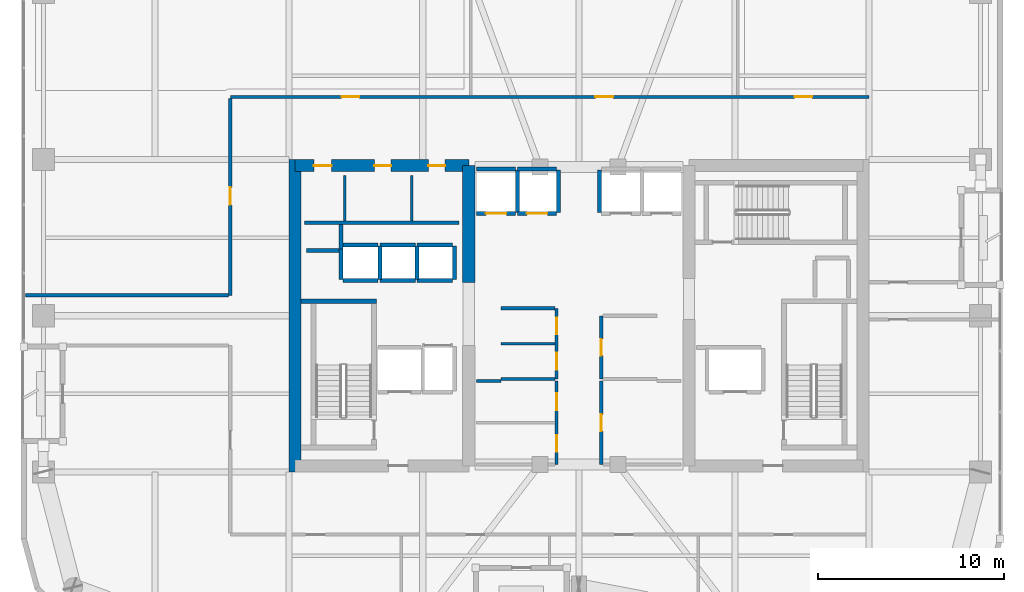
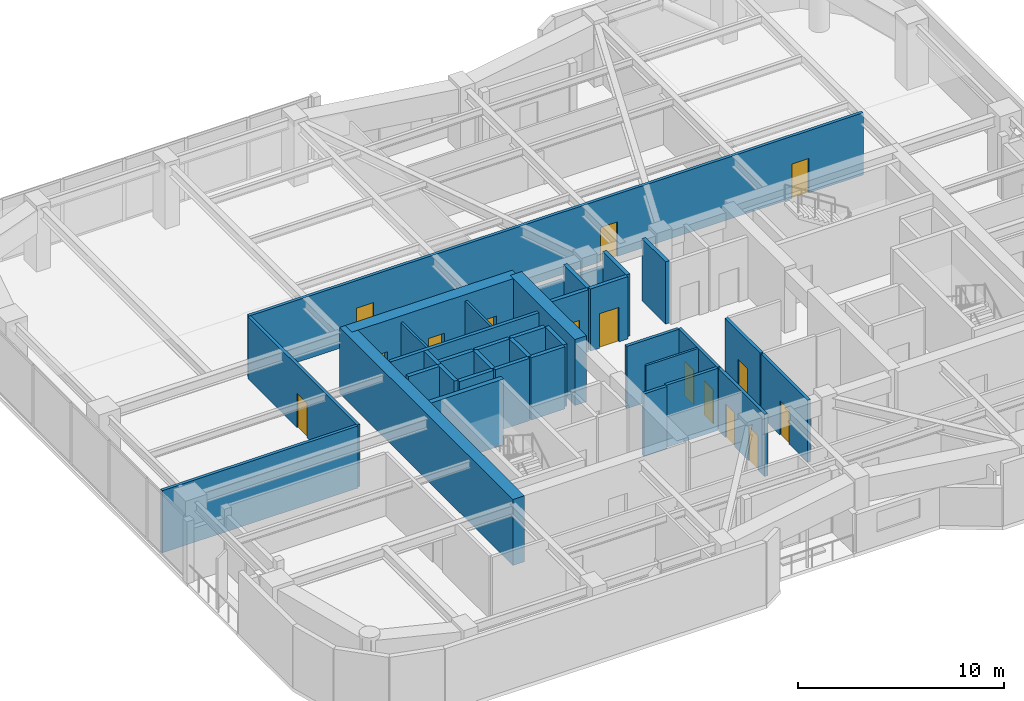
# One storey, part 25 of 30: 37 walls, 15 doors, 15 openings.
"""IFC4 building model written with IfcOpenShell, lengths in metres."""

from ifc_helpers import new_model, si_unit, direction, frame, frame_2d, origin, place, context, subcontext, project, spatial, rectangle, extrude, material, layer, layer_set, type_object, element, fill, save


model = new_model("IFC4")

# Units and contexts
model_context = context("Model", 3, precision=1e-05, world=origin(), true_north=direction((0.0, 1.0)))
body_context = subcontext(model_context, "Body", "Model", "MODEL_VIEW")
ifc_project = project(units=[si_unit("LENGTHUNIT", "METRE"), si_unit("AREAUNIT", "SQUARE_METRE"), si_unit("VOLUMEUNIT", "CUBIC_METRE"), si_unit("PLANEANGLEUNIT", "RADIAN"), si_unit("MASSUNIT", "GRAM", prefix="KILO")], contexts=[model_context])

# Site, building, storey
site_placement = place(None, origin())
site = spatial("IfcSite", under=ifc_project, at=site_placement, CompositionType="ELEMENT")
building_placement = place(site_placement, origin())
building = spatial("IfcBuilding", under=site, at=building_placement, Name="Kiyonajd Concourse Tower", CompositionType="ELEMENT")
storey_placement = place(building_placement, frame((0.0, 0.0, 190.199951171875)))
storey = spatial("IfcBuildingStorey", under=building, at=storey_placement, Name="L48", CompositionType="ELEMENT", Elevation=190.199951171875)

# Walls
ifc_material_1 = material(Name="Concrete C60/75", Category="concrete")
ifc_layer_1 = layer(ifc_material_1, 0.64990234375)
ifc_layer_set_1 = layer_set([ifc_layer_1], Name="Concrete C60/75")
wall_type_1 = type_object("IfcWallType", Name="WL-CORE-650", PredefinedType="SHEAR", material=ifc_layer_set_1)
wall_1_placement = place(storey_placement, frame((32.72509765625, 27.60009765625, 0.0), z_axis=(0.0, 0.0, 1.0), x_axis=(0.0, 1.0, 0.0)))
element("IfcWall", 1, at=wall_1_placement, inside=storey, type_object=wall_type_1, Name="L48 West Core Outer Shear Wall", PredefinedType="SHEAR", context=body_context, shape_type="SweptSolid", body=[
    extrude(rectangle(XDim=16.7998046875, YDim=0.64990234375, at=frame_2d((8.39990234375, 0.0))), origin(), (0.0, 0.0, 1.0), 3.900146484375),
])
wall_2_placement = place(storey_placement, frame((42.074951171875, 37.800048828125, 0.0), z_axis=(0.0, 0.0, 1.0), x_axis=(0.0, 1.0, 0.0)))
element("IfcWall", 2, at=wall_2_placement, inside=storey, type_object=wall_type_1, Name="L48 West Core Inner North Shear Wall", PredefinedType="SHEAR", context=body_context, shape_type="SweptSolid", body=[
    extrude(rectangle(XDim=6.27490234375, YDim=0.64990234375, at=frame_2d((3.137451171875, 0.0))), origin(), (0.0, 0.0, 1.0), 3.900146484375),
])

# Wall, openings, doors
wall_3_placement = place(storey_placement, frame((32.72509765625, 44.074951171875, 0.0), z_axis=(0.0, 0.0, 1.0), x_axis=(1.0, 0.0, 0.0)))
wall_3 = element("IfcWall", 3, at=wall_3_placement, inside=storey, type_object=wall_type_1, Name="L48 West Core North Shear Wall", PredefinedType="SHEAR", context=body_context, shape_type="SweptSolid", body=[
    extrude(rectangle(XDim=9.349853515625, YDim=0.64990234375, at=frame_2d((4.6748046875, 0.0))), origin(), (0.0, 0.0, 1.0), 3.900146484375),
])
opening_1_placement = place(wall_3_placement, frame((1.02490234375, 0.0, 0.0)))
opening_1 = element("IfcOpeningElement", 4, at=opening_1_placement, cuts=wall_3, Name="Opening DI1", PredefinedType="OPENING", context=body_context, shape_type="SweptSolid", body=[
    extrude(rectangle(XDim=0.949951171875, YDim=2.0400390625, at=frame_2d((0.47509765625, 1.02001953125))), frame((0.0, 0.3349609375, 0.0), z_axis=(0.0, -1.0, 0.0), x_axis=(1.0, 0.0, 0.0)), (0.0, 0.0, 1.0), 0.669921875),
])
opening_2_placement = place(wall_3_placement, frame((4.27490234375, 0.0, 0.0)))
opening_2 = element("IfcOpeningElement", 5, at=opening_2_placement, cuts=wall_3, Name="Opening DI2", PredefinedType="OPENING", context=body_context, shape_type="SweptSolid", body=[
    extrude(rectangle(XDim=0.89990234375, YDim=2.02001953125, at=frame_2d((0.449951171875, 1.010009765625))), frame((0.0, 0.3349609375, 0.0), z_axis=(0.0, -1.0, 0.0), x_axis=(1.0, 0.0, 0.0)), (0.0, 0.0, 1.0), 0.669921875),
])
opening_3_placement = place(wall_3_placement, frame((7.175048828125, 0.0, 0.0)))
opening_3 = element("IfcOpeningElement", 6, at=opening_3_placement, cuts=wall_3, Name="Opening DI2", PredefinedType="OPENING", context=body_context, shape_type="SweptSolid", body=[
    extrude(rectangle(XDim=0.89990234375, YDim=2.02001953125, at=frame_2d((0.449951171875, 1.010009765625))), frame((0.0, 0.3349609375, 0.0), z_axis=(0.0, -1.0, 0.0), x_axis=(1.0, 0.0, 0.0)), (0.0, 0.0, 1.0), 0.669921875),
])
ifc_material_2 = material(Name="Natural Oak Acoustic Timber Veneer", Category="wood")
door_type_1 = type_object("IfcDoorType", Name="DR-INT-900", OperationType="NOTDEFINED", PredefinedType="DOOR", material=ifc_material_2)
door_1_placement = place(opening_2_placement, origin())
door_1 = element("IfcDoor", 7, at=door_1_placement, inside=storey, type_object=door_type_1, Name="L48 Male Restroom Door", OperationType="SINGLE_SWING_RIGHT", OverallHeight=2.02001953125, OverallWidth=0.89990234375, PredefinedType="DOOR", context=body_context, shape_type="SweptSolid", body=[
    extrude(rectangle(XDim=0.89990234375, YDim=2.02001953125, at=frame_2d((0.449951171875, 1.010009765625))), frame((0.0, 0.02490234375, 0.0), z_axis=(0.0, -1.0, 0.0), x_axis=(1.0, 0.0, 0.0)), (0.0, 0.0, 1.0), 0.050048828125),
])
fill(opening_2, door_1)
door_2_placement = place(opening_3_placement, origin())
door_2 = element("IfcDoor", 8, at=door_2_placement, inside=storey, type_object=door_type_1, Name="L48 Female Restroom Door", OperationType="SINGLE_SWING_LEFT", OverallHeight=2.02001953125, OverallWidth=0.89990234375, PredefinedType="DOOR", context=body_context, shape_type="SweptSolid", body=[
    extrude(rectangle(XDim=0.89990234375, YDim=2.02001953125, at=frame_2d((0.449951171875, 1.010009765625))), frame((0.0, 0.02490234375, 0.0), z_axis=(0.0, -1.0, 0.0), x_axis=(1.0, 0.0, 0.0)), (0.0, 0.0, 1.0), 0.050048828125),
])
fill(opening_3, door_2)
door_type_2 = type_object("IfcDoorType", Name="DR-INT-950", OperationType="NOTDEFINED", PredefinedType="DOOR", material=ifc_material_2)
door_3_placement = place(opening_1_placement, origin())
door_3 = element("IfcDoor", 9, at=door_3_placement, inside=storey, type_object=door_type_2, Name="L48 Single User Accessible WC Door", OperationType="SINGLE_SWING_LEFT", OverallHeight=2.0400390625, OverallWidth=0.949951171875, PredefinedType="DOOR", context=body_context, shape_type="SweptSolid", body=[
    extrude(rectangle(XDim=0.949951171875, YDim=2.0400390625, at=frame_2d((0.47509765625, 1.02001953125))), frame((0.0, 0.02490234375, 0.0), z_axis=(0.0, -1.0, 0.0), x_axis=(1.0, 0.0, 0.0)), (0.0, 0.0, 1.0), 0.050048828125),
])
fill(opening_1, door_3)

# Walls
ifc_material_3 = material(Name="Gypsum Board on Cold-Formed Steel Stud", Category="steel")
ifc_layer_2 = layer(ifc_material_3, 0.125)
ifc_layer_set_2 = layer_set([ifc_layer_2], Name="Gypsum Board on Cold-Formed Steel Stud")
wall_type_2 = type_object("IfcWallType", Name="WL-PART-125", PredefinedType="PARTITIONING", material=ifc_layer_set_2)
for number, where, z_axis, x_axis, name in (
    (10, (35.39990234375, 41.094970703125, 0.0), (0.0, 0.0, 1.0), (0.0, 1.0, 0.0), "L48 Interior Partition Wall"),
    (11, (39.0, 41.094970703125, 0.0), (0.0, 0.0, 1.0), (0.0, 1.0, 0.0), "L48 Interior Partition Wall"),
):
    element("IfcWall", number, at=place(storey_placement, frame(where, z_axis=z_axis, x_axis=x_axis)), inside=storey, type_object=wall_type_2, Name=name, PredefinedType="PARTITIONING", context=body_context, shape_type="SweptSolid", body=[
        extrude(rectangle(XDim=2.455078125, YDim=0.125, at=frame_2d((1.2275390625, 0.0))), origin(), (0.0, 0.0, 1.0), 3.679931640625),
    ])
wall_4_placement = place(storey_placement, frame((43.800048828125, 34.5, 0.0), z_axis=(0.0, 0.0, 1.0), x_axis=(1.0, 0.0, 0.0)))
element("IfcWall", 12, at=wall_4_placement, inside=storey, type_object=wall_type_2, Name="L48 Interior Partition Wall", PredefinedType="PARTITIONING", context=body_context, shape_type="SweptSolid", body=[
    extrude(rectangle(XDim=2.912841796875, YDim=0.125, at=frame_2d((1.45654296875, 0.0))), origin(), (0.0, 0.0, 1.0), 3.679931640625),
])
ifc_layer_3 = layer(ifc_material_3, 0.18994140625)
ifc_layer_set_3 = layer_set([ifc_layer_3], Name="Gypsum Board on Cold-Formed Steel Stud")
wall_type_3 = type_object("IfcWallType", Name="WL-PLMB-190", PredefinedType="PLUMBINGWALL", material=ifc_layer_set_3)
wall_5_placement = place(storey_placement, frame((33.25, 41.0, 0.0), z_axis=(0.0, 0.0, 1.0), x_axis=(1.0, 0.0, 0.0)))
element("IfcWall", 13, at=wall_5_placement, inside=storey, type_object=wall_type_3, Name="L48 Interior Partition Wall", PredefinedType="PLUMBINGWALL", context=body_context, shape_type="SweptSolid", body=[
    extrude(rectangle(XDim=8.300048828125, YDim=0.18994140625, at=frame_2d((4.14990234375, 0.0))), origin(), (0.0, 0.0, 1.0), 3.679931640625),
])
ifc_layer_4 = layer(ifc_material_3, 0.2099609375)
ifc_layer_set_4 = layer_set([ifc_layer_4], Name="Gypsum Board on Cold-Formed Steel Stud")
wall_type_4 = type_object("IfcWallType", Name="WL-SHAFT-210", PredefinedType="PARTITIONING", material=ifc_layer_set_4)
wall_6_placement = place(storey_placement, frame((33.360107421875, 39.5, 0.0), z_axis=(0.0, 0.0, 1.0), x_axis=(1.0, 0.0, 0.0)))
element("IfcWall", 14, at=wall_6_placement, inside=storey, type_object=wall_type_4, Name="L48 Shaft Enclosure Wall", PredefinedType="PARTITIONING", context=body_context, shape_type="SweptSolid", body=[
    extrude(rectangle(XDim=1.85986328125, YDim=0.2099609375, at=frame_2d((0.929931640625, 0.0))), origin(), (0.0, 0.0, 1.0), 3.679931640625),
])
wall_7_placement = place(storey_placement, frame((35.199951171875, 39.580078125, 0.0), z_axis=(0.0, 0.0, 1.0), x_axis=(0.0, 1.0, 0.0)))
element("IfcWall", 15, at=wall_7_placement, inside=storey, type_object=wall_type_4, Name="L48 Shaft Enclosure Wall", PredefinedType="PARTITIONING", context=body_context, shape_type="SweptSolid", body=[
    extrude(rectangle(XDim=1.31982421875, YDim=0.2099609375, at=frame_2d((0.659912109375, 0.0))), origin(), (0.0, 0.0, 1.0), 3.679931640625),
])

# Wall, opening, door
wall_8_placement = place(storey_placement, frame((42.5, 41.5, 0.0), z_axis=(0.0, 0.0, 1.0), x_axis=(1.0, 0.0, 0.0)))
wall_8 = element("IfcWall", 16, at=wall_8_placement, inside=storey, type_object=wall_type_4, Name="L48 Shaft Enclosure Wall", PredefinedType="PARTITIONING", context=body_context, shape_type="SweptSolid", body=[
    extrude(rectangle(XDim=2.10009765625, YDim=0.2099609375, at=frame_2d((1.050048828125, 0.0))), origin(), (0.0, 0.0, 1.0), 3.679931640625),
])
opening_4_placement = place(wall_8_placement, frame((0.5, 0.0, 0.0)))
opening_4 = element("IfcOpeningElement", 17, at=opening_4_placement, cuts=wall_8, Name="Opening LD1", PredefinedType="OPENING", context=body_context, shape_type="SweptSolid", body=[
    extrude(rectangle(XDim=1.10009765625, YDim=2.0400390625, at=frame_2d((0.550048828125, 1.02001953125))), frame((0.0, 0.114990234375, 0.0), z_axis=(0.0, -1.0, 0.0), x_axis=(1.0, 0.0, 0.0)), (0.0, 0.0, 1.0), 0.22998046875),
])
ifc_material_4 = material(Name="Brushed Stainless Steel Cab Assembly", Category="steel")
door_type_3 = type_object("IfcDoorType", Name="DR-LD-1100", OperationType="DOUBLE_DOOR_SLIDING", PredefinedType="DOOR", material=ifc_material_4)
door_4_placement = place(opening_4_placement, origin())
door_4 = element("IfcDoor", 18, at=door_4_placement, inside=storey, type_object=door_type_3, Name="L48 Lift PL-M1 Sliding Landing Door", OperationType="DOUBLE_DOOR_SLIDING", OverallHeight=2.0400390625, OverallWidth=1.10009765625, PredefinedType="DOOR", context=body_context, shape_type="SweptSolid", body=[
    extrude(rectangle(XDim=1.10009765625, YDim=2.0400390625, at=frame_2d((0.550048828125, 1.02001953125))), frame((0.0, 0.02490234375, 0.0), z_axis=(0.0, -1.0, 0.0), x_axis=(1.0, 0.0, 0.0)), (0.0, 0.0, 1.0), 0.050048828125),
])
fill(opening_4, door_4)

# Walls
wall_9_placement = place(storey_placement, frame((42.5, 43.89990234375, 0.0), z_axis=(0.0, 0.0, 1.0), x_axis=(1.0, 0.0, 0.0)))
element("IfcWall", 19, at=wall_9_placement, inside=storey, type_object=wall_type_4, Name="L48 Shaft Enclosure Wall", PredefinedType="PARTITIONING", context=body_context, shape_type="SweptSolid", body=[
    extrude(rectangle(XDim=2.10009765625, YDim=0.2099609375, at=frame_2d((1.050048828125, 0.0))), origin(), (0.0, 0.0, 1.0), 2.76513671875),
])
wall_10_placement = place(storey_placement, frame((44.699951171875, 41.56005859375, 0.0), z_axis=(0.0, 0.0, 1.0), x_axis=(0.0, 1.0, 0.0)))
element("IfcWall", 20, at=wall_10_placement, inside=storey, type_object=wall_type_4, Name="L48 Shaft Enclosure Wall", PredefinedType="PARTITIONING", context=body_context, shape_type="SweptSolid", body=[
    extrude(rectangle(XDim=2.280029296875, YDim=0.2099609375, at=frame_2d((1.14013671875, 0.0))), origin(), (0.0, 0.0, 1.0), 3.679931640625),
])

# Wall, opening, door
wall_11_placement = place(storey_placement, frame((44.699951171875, 41.5, 0.0), z_axis=(0.0, 0.0, 1.0), x_axis=(1.0, 0.0, 0.0)))
wall_11 = element("IfcWall", 21, at=wall_11_placement, inside=storey, type_object=wall_type_4, Name="L48 Shaft Enclosure Wall", PredefinedType="PARTITIONING", context=body_context, shape_type="SweptSolid", body=[
    extrude(rectangle(XDim=2.10009765625, YDim=0.2099609375, at=frame_2d((1.050048828125, 0.0))), origin(), (0.0, 0.0, 1.0), 3.679931640625),
])
opening_5_placement = place(wall_11_placement, frame((0.5, 0.0, 0.0)))
opening_5 = element("IfcOpeningElement", 22, at=opening_5_placement, cuts=wall_11, Name="Opening LD1", PredefinedType="OPENING", context=body_context, shape_type="SweptSolid", body=[
    extrude(rectangle(XDim=1.10009765625, YDim=2.0400390625, at=frame_2d((0.550048828125, 1.02001953125))), frame((0.0, 0.114990234375, 0.0), z_axis=(0.0, -1.0, 0.0), x_axis=(1.0, 0.0, 0.0)), (0.0, 0.0, 1.0), 0.22998046875),
])
door_5_placement = place(opening_5_placement, origin())
door_5 = element("IfcDoor", 23, at=door_5_placement, inside=storey, type_object=door_type_3, Name="L48 Lift PL-M2 Sliding Landing Door", OperationType="DOUBLE_DOOR_SLIDING", OverallHeight=2.0400390625, OverallWidth=1.10009765625, PredefinedType="DOOR", context=body_context, shape_type="SweptSolid", body=[
    extrude(rectangle(XDim=1.10009765625, YDim=2.0400390625, at=frame_2d((0.550048828125, 1.02001953125))), frame((0.0, 0.02490234375, 0.0), z_axis=(0.0, -1.0, 0.0), x_axis=(1.0, 0.0, 0.0)), (0.0, 0.0, 1.0), 0.050048828125),
])
fill(opening_5, door_5)

# Walls
wall_12_placement = place(storey_placement, frame((44.699951171875, 43.89990234375, 0.0), z_axis=(0.0, 0.0, 1.0), x_axis=(1.0, 0.0, 0.0)))
element("IfcWall", 24, at=wall_12_placement, inside=storey, type_object=wall_type_4, Name="L48 Shaft Enclosure Wall", PredefinedType="PARTITIONING", context=body_context, shape_type="SweptSolid", body=[
    extrude(rectangle(XDim=2.10009765625, YDim=0.2099609375, at=frame_2d((1.050048828125, 0.0))), origin(), (0.0, 0.0, 1.0), 2.76513671875),
])
for number, where, z_axis, x_axis, name in (
    (25, (46.89990234375, 41.56005859375, 0.0), (0.0, 0.0, 1.0), (0.0, 1.0, 0.0), "L48 Shaft Enclosure Wall"),
    (26, (49.10009765625, 41.56005859375, 0.0), (0.0, 0.0, 1.0), (0.0, 1.0, 0.0), "L48 Shaft Enclosure Wall"),
):
    element("IfcWall", number, at=place(storey_placement, frame(where, z_axis=z_axis, x_axis=x_axis)), inside=storey, type_object=wall_type_4, Name=name, PredefinedType="PARTITIONING", context=body_context, shape_type="SweptSolid", body=[
        extrude(rectangle(XDim=2.280029296875, YDim=0.2099609375, at=frame_2d((1.14013671875, 0.0))), origin(), (0.0, 0.0, 1.0), 3.679931640625),
    ])
for number, where, z_axis, x_axis, name in (
    (27, (35.300048828125, 37.89990234375, 0.0), (0.0, 0.0, 1.0), (1.0, 0.0, 0.0), "L48 Shaft Enclosure Wall"),
    (28, (35.300048828125, 39.800048828125, 0.0), (0.0, 0.0, 1.0), (1.0, 0.0, 0.0), "L48 Shaft Enclosure Wall"),
):
    element("IfcWall", number, at=place(storey_placement, frame(where, z_axis=z_axis, x_axis=x_axis)), inside=storey, type_object=wall_type_4, Name=name, PredefinedType="PARTITIONING", context=body_context, shape_type="SweptSolid", body=[
        extrude(rectangle(XDim=1.89990234375, YDim=0.2099609375, at=frame_2d((0.949951171875, 0.0))), origin(), (0.0, 0.0, 1.0), 3.679931640625),
    ])
wall_13_placement = place(storey_placement, frame((35.199951171875, 37.9599609375, 0.0), z_axis=(0.0, 0.0, 1.0), x_axis=(0.0, 1.0, 0.0)))
element("IfcWall", 29, at=wall_13_placement, inside=storey, type_object=wall_type_4, Name="L48 Shaft Enclosure Wall", PredefinedType="PARTITIONING", context=body_context, shape_type="SweptSolid", body=[
    extrude(rectangle(XDim=1.6201171875, YDim=0.2099609375, at=frame_2d((0.81005859375, 0.0))), origin(), (0.0, 0.0, 1.0), 3.679931640625),
])
wall_14_placement = place(storey_placement, frame((37.300048828125, 37.9599609375, 0.0), z_axis=(0.0, 0.0, 1.0), x_axis=(0.0, 1.0, 0.0)))
element("IfcWall", 30, at=wall_14_placement, inside=storey, type_object=wall_type_4, Name="L48 Shaft Enclosure Wall", PredefinedType="PARTITIONING", context=body_context, shape_type="SweptSolid", body=[
    extrude(rectangle(XDim=1.780029296875, YDim=0.2099609375, at=frame_2d((0.89013671875, 0.0))), origin(), (0.0, 0.0, 1.0), 3.679931640625),
])
for number, where, z_axis, x_axis, name in (
    (31, (37.300048828125, 37.89990234375, 0.0), (0.0, 0.0, 1.0), (1.0, 0.0, 0.0), "L48 Shaft Enclosure Wall"),
    (32, (37.300048828125, 39.800048828125, 0.0), (0.0, 0.0, 1.0), (1.0, 0.0, 0.0), "L48 Shaft Enclosure Wall"),
):
    element("IfcWall", number, at=place(storey_placement, frame(where, z_axis=z_axis, x_axis=x_axis)), inside=storey, type_object=wall_type_4, Name=name, PredefinedType="PARTITIONING", context=body_context, shape_type="SweptSolid", body=[
        extrude(rectangle(XDim=1.89990234375, YDim=0.2099609375, at=frame_2d((0.949951171875, 0.0))), origin(), (0.0, 0.0, 1.0), 3.679931640625),
    ])
wall_15_placement = place(storey_placement, frame((39.300048828125, 37.9599609375, 0.0), z_axis=(0.0, 0.0, 1.0), x_axis=(0.0, 1.0, 0.0)))
element("IfcWall", 33, at=wall_15_placement, inside=storey, type_object=wall_type_4, Name="L48 Shaft Enclosure Wall", PredefinedType="PARTITIONING", context=body_context, shape_type="SweptSolid", body=[
    extrude(rectangle(XDim=1.780029296875, YDim=0.2099609375, at=frame_2d((0.89013671875, 0.0))), origin(), (0.0, 0.0, 1.0), 3.679931640625),
])
for number, where, z_axis, x_axis, name in (
    (34, (39.300048828125, 37.89990234375, 0.0), (0.0, 0.0, 1.0), (1.0, 0.0, 0.0), "L48 Shaft Enclosure Wall"),
    (35, (39.300048828125, 39.800048828125, 0.0), (0.0, 0.0, 1.0), (1.0, 0.0, 0.0), "L48 Shaft Enclosure Wall"),
):
    element("IfcWall", number, at=place(storey_placement, frame(where, z_axis=z_axis, x_axis=x_axis)), inside=storey, type_object=wall_type_4, Name=name, PredefinedType="PARTITIONING", context=body_context, shape_type="SweptSolid", body=[
        extrude(rectangle(XDim=1.89990234375, YDim=0.2099609375, at=frame_2d((0.949951171875, 0.0))), origin(), (0.0, 0.0, 1.0), 3.679931640625),
    ])
wall_16_placement = place(storey_placement, frame((41.300048828125, 37.9599609375, 0.0), z_axis=(0.0, 0.0, 1.0), x_axis=(0.0, 1.0, 0.0)))
element("IfcWall", 36, at=wall_16_placement, inside=storey, type_object=wall_type_4, Name="L48 Shaft Enclosure Wall", PredefinedType="PARTITIONING", context=body_context, shape_type="SweptSolid", body=[
    extrude(rectangle(XDim=1.780029296875, YDim=0.2099609375, at=frame_2d((0.89013671875, 0.0))), origin(), (0.0, 0.0, 1.0), 3.679931640625),
])

# Wall, openings, doors
ifc_layer_5 = layer(ifc_material_3, 0.169921875)
ifc_layer_set_5 = layer_set([ifc_layer_5], Name="Gypsum Board on Cold-Formed Steel Stud")
wall_type_5 = type_object("IfcWallType", Name="WL-SMK-170", PredefinedType="PARTITIONING", material=ifc_layer_set_5)
wall_17_placement = place(storey_placement, frame((46.800048828125, 32.60009765625, 0.0), z_axis=(0.0, 0.0, 1.0), x_axis=(0.0, 1.0, 0.0)))
wall_17 = element("IfcWall", 37, at=wall_17_placement, inside=storey, type_object=wall_type_5, Name="L48 Interior Partition Wall", PredefinedType="PARTITIONING", context=body_context, shape_type="SweptSolid", body=[
    extrude(rectangle(XDim=3.7998046875, YDim=0.169921875, at=frame_2d((1.89990234375, 0.0))), origin(), (0.0, 0.0, 1.0), 3.679931640625),
])
opening_6_placement = place(wall_17_placement, frame((0.5, 0.0, 0.0)))
opening_6 = element("IfcOpeningElement", 38, at=opening_6_placement, cuts=wall_17, Name="Opening DI2", PredefinedType="OPENING", context=body_context, shape_type="SweptSolid", body=[
    extrude(rectangle(XDim=0.89990234375, YDim=2.02001953125, at=frame_2d((0.449951171875, 1.010009765625))), frame((0.0, 0.094970703125, 0.0), z_axis=(0.0, -1.0, 0.0), x_axis=(1.0, 0.0, 0.0)), (0.0, 0.0, 1.0), 0.18994140625),
])
opening_7_placement = place(wall_17_placement, frame((2.39990234375, 0.0, 0.0)))
opening_7 = element("IfcOpeningElement", 39, at=opening_7_placement, cuts=wall_17, Name="Opening DI2", PredefinedType="OPENING", context=body_context, shape_type="SweptSolid", body=[
    extrude(rectangle(XDim=0.89990234375, YDim=2.02001953125, at=frame_2d((0.449951171875, 1.010009765625))), frame((0.0, 0.094970703125, 0.0), z_axis=(0.0, -1.0, 0.0), x_axis=(1.0, 0.0, 0.0)), (0.0, 0.0, 1.0), 0.18994140625),
])
door_6_placement = place(opening_6_placement, origin())
door_6 = element("IfcDoor", 40, at=door_6_placement, inside=storey, type_object=door_type_1, Name="L48 Interior Door", OperationType="SINGLE_SWING_RIGHT", OverallHeight=2.02001953125, OverallWidth=0.89990234375, PredefinedType="DOOR", context=body_context, shape_type="SweptSolid", body=[
    extrude(rectangle(XDim=0.89990234375, YDim=2.02001953125, at=frame_2d((0.449951171875, 1.010009765625))), frame((0.0, 0.02490234375, 0.0), z_axis=(0.0, -1.0, 0.0), x_axis=(1.0, 0.0, 0.0)), (0.0, 0.0, 1.0), 0.050048828125),
])
fill(opening_6, door_6)
door_7_placement = place(opening_7_placement, origin())
door_7 = element("IfcDoor", 41, at=door_7_placement, inside=storey, type_object=door_type_1, Name="L48 Interior Door", OperationType="SINGLE_SWING_LEFT", OverallHeight=2.02001953125, OverallWidth=0.89990234375, PredefinedType="DOOR", context=body_context, shape_type="SweptSolid", body=[
    extrude(rectangle(XDim=0.89990234375, YDim=2.02001953125, at=frame_2d((0.449951171875, 1.010009765625))), frame((0.0, 0.02490234375, 0.0), z_axis=(0.0, -1.0, 0.0), x_axis=(1.0, 0.0, 0.0)), (0.0, 0.0, 1.0), 0.050048828125),
])
fill(opening_7, door_7)

# Walls
for number, where, z_axis, x_axis, name in (
    (42, (43.800048828125, 32.60009765625, 0.0), (0.0, 0.0, 1.0), (1.0, 0.0, 0.0), "L48 Interior Partition Wall"),
    (43, (43.800048828125, 36.39990234375, 0.0), (0.0, 0.0, 1.0), (1.0, 0.0, 0.0), "L48 Interior Partition Wall"),
):
    element("IfcWall", number, at=place(storey_placement, frame(where, z_axis=z_axis, x_axis=x_axis)), inside=storey, type_object=wall_type_5, Name=name, PredefinedType="PARTITIONING", context=body_context, shape_type="SweptSolid", body=[
        extrude(rectangle(XDim=2.912841796875, YDim=0.169921875, at=frame_2d((1.45654296875, 0.0))), origin(), (0.0, 0.0, 1.0), 3.679931640625),
    ])

# Wall, opening, door
wall_18_placement = place(storey_placement, frame((49.199951171875, 32.60009765625, 0.0), z_axis=(0.0, 0.0, 1.0), x_axis=(0.0, 1.0, 0.0)))
wall_18 = element("IfcWall", 44, at=wall_18_placement, inside=storey, type_object=wall_type_5, Name="L48 Interior Partition Wall", PredefinedType="PARTITIONING", context=body_context, shape_type="SweptSolid", body=[
    extrude(rectangle(XDim=3.39990234375, YDim=0.169921875, at=frame_2d((1.699951171875, 0.0))), origin(), (0.0, 0.0, 1.0), 3.679931640625),
])
opening_8_placement = place(wall_18_placement, frame((1.25, 0.0, 0.0)))
opening_8 = element("IfcOpeningElement", 45, at=opening_8_placement, cuts=wall_18, Name="Opening DI2", PredefinedType="OPENING", context=body_context, shape_type="SweptSolid", body=[
    extrude(rectangle(XDim=0.89990234375, YDim=2.02001953125, at=frame_2d((0.449951171875, 1.010009765625))), frame((0.0, 0.094970703125, 0.0), z_axis=(0.0, -1.0, 0.0), x_axis=(1.0, 0.0, 0.0)), (0.0, 0.0, 1.0), 0.18994140625),
])
door_8_placement = place(opening_8_placement, origin())
door_8 = element("IfcDoor", 46, at=door_8_placement, inside=storey, type_object=door_type_1, Name="L48 Interior Door", OperationType="SINGLE_SWING_RIGHT", OverallHeight=2.02001953125, OverallWidth=0.89990234375, PredefinedType="DOOR", context=body_context, shape_type="SweptSolid", body=[
    extrude(rectangle(XDim=0.89990234375, YDim=2.02001953125, at=frame_2d((0.449951171875, 1.010009765625))), frame((0.0, 0.02490234375, 0.0), z_axis=(0.0, -1.0, 0.0), x_axis=(1.0, 0.0, 0.0)), (0.0, 0.0, 1.0), 0.050048828125),
])
fill(opening_8, door_8)

# Wall, openings, doors
wall_19_placement = place(storey_placement, frame((46.800048828125, 28.0, 0.0), z_axis=(0.0, 0.0, 1.0), x_axis=(0.0, 1.0, 0.0)))
wall_19 = element("IfcWall", 47, at=wall_19_placement, inside=storey, type_object=wall_type_5, Name="L48 Interior Partition Wall", PredefinedType="PARTITIONING", context=body_context, shape_type="SweptSolid", body=[
    extrude(rectangle(XDim=4.5, YDim=0.169921875, at=frame_2d((2.25, 0.0))), origin(), (0.0, 0.0, 1.0), 3.679931640625),
])
opening_9_placement = place(wall_19_placement, frame((0.675048828125, 0.0, 0.0)))
opening_9 = element("IfcOpeningElement", 48, at=opening_9_placement, cuts=wall_19, Name="Opening DI2", PredefinedType="OPENING", context=body_context, shape_type="SweptSolid", body=[
    extrude(rectangle(XDim=0.89990234375, YDim=2.02001953125, at=frame_2d((0.449951171875, 1.010009765625))), frame((0.0, 0.094970703125, 0.0), z_axis=(0.0, -1.0, 0.0), x_axis=(1.0, 0.0, 0.0)), (0.0, 0.0, 1.0), 0.18994140625),
])
opening_10_placement = place(wall_19_placement, frame((2.925048828125, 0.0, 0.0)))
opening_10 = element("IfcOpeningElement", 49, at=opening_10_placement, cuts=wall_19, Name="Opening DI2", PredefinedType="OPENING", context=body_context, shape_type="SweptSolid", body=[
    extrude(rectangle(XDim=0.89990234375, YDim=2.02001953125, at=frame_2d((0.449951171875, 1.010009765625))), frame((0.0, 0.094970703125, 0.0), z_axis=(0.0, -1.0, 0.0), x_axis=(1.0, 0.0, 0.0)), (0.0, 0.0, 1.0), 0.18994140625),
])
door_9_placement = place(opening_9_placement, origin())
door_9 = element("IfcDoor", 50, at=door_9_placement, inside=storey, type_object=door_type_1, Name="L48 Interior Door", OperationType="SINGLE_SWING_LEFT", OverallHeight=2.02001953125, OverallWidth=0.89990234375, PredefinedType="DOOR", context=body_context, shape_type="SweptSolid", body=[
    extrude(rectangle(XDim=0.89990234375, YDim=2.02001953125, at=frame_2d((0.449951171875, 1.010009765625))), frame((0.0, 0.02490234375, 0.0), z_axis=(0.0, -1.0, 0.0), x_axis=(1.0, 0.0, 0.0)), (0.0, 0.0, 1.0), 0.050048828125),
])
fill(opening_9, door_9)
door_10_placement = place(opening_10_placement, origin())
door_10 = element("IfcDoor", 51, at=door_10_placement, inside=storey, type_object=door_type_1, Name="L48 Interior Door", OperationType="SINGLE_SWING_RIGHT", OverallHeight=2.02001953125, OverallWidth=0.89990234375, PredefinedType="DOOR", context=body_context, shape_type="SweptSolid", body=[
    extrude(rectangle(XDim=0.89990234375, YDim=2.02001953125, at=frame_2d((0.449951171875, 1.010009765625))), frame((0.0, 0.02490234375, 0.0), z_axis=(0.0, -1.0, 0.0), x_axis=(1.0, 0.0, 0.0)), (0.0, 0.0, 1.0), 0.050048828125),
])
fill(opening_10, door_10)

# Wall
wall_20_placement = place(storey_placement, frame((42.5, 32.5, 0.0), z_axis=(0.0, 0.0, 1.0), x_axis=(1.0, 0.0, 0.0)))
element("IfcWall", 52, at=wall_20_placement, inside=storey, type_object=wall_type_5, Name="L48 Interior Partition Wall", PredefinedType="PARTITIONING", context=body_context, shape_type="SweptSolid", body=[
    extrude(rectangle(XDim=1.300048828125, YDim=0.169921875, at=frame_2d((0.64990234375, 0.0))), origin(), (0.0, 0.0, 1.0), 3.679931640625),
])

# Wall, opening, door
wall_21_placement = place(storey_placement, frame((49.199951171875, 28.0, 0.0), z_axis=(0.0, 0.0, 1.0), x_axis=(0.0, 1.0, 0.0)))
wall_21 = element("IfcWall", 53, at=wall_21_placement, inside=storey, type_object=wall_type_5, Name="L48 Interior Partition Wall", PredefinedType="PARTITIONING", context=body_context, shape_type="SweptSolid", body=[
    extrude(rectangle(XDim=4.5, YDim=0.169921875, at=frame_2d((2.25, 0.0))), origin(), (0.0, 0.0, 1.0), 3.679931640625),
])
opening_11_placement = place(wall_21_placement, frame((1.800048828125, 0.0, 0.0)))
opening_11 = element("IfcOpeningElement", 54, at=opening_11_placement, cuts=wall_21, Name="Opening DI2", PredefinedType="OPENING", context=body_context, shape_type="SweptSolid", body=[
    extrude(rectangle(XDim=0.89990234375, YDim=2.02001953125, at=frame_2d((0.449951171875, 1.010009765625))), frame((0.0, 0.094970703125, 0.0), z_axis=(0.0, -1.0, 0.0), x_axis=(1.0, 0.0, 0.0)), (0.0, 0.0, 1.0), 0.18994140625),
])
door_11_placement = place(opening_11_placement, origin())
door_11 = element("IfcDoor", 55, at=door_11_placement, inside=storey, type_object=door_type_1, Name="L48 Interior Door", OperationType="SINGLE_SWING_LEFT", OverallHeight=2.02001953125, OverallWidth=0.89990234375, PredefinedType="DOOR", context=body_context, shape_type="SweptSolid", body=[
    extrude(rectangle(XDim=0.89990234375, YDim=2.02001953125, at=frame_2d((0.449951171875, 1.010009765625))), frame((0.0, 0.02490234375, 0.0), z_axis=(0.0, -1.0, 0.0), x_axis=(1.0, 0.0, 0.0)), (0.0, 0.0, 1.0), 0.050048828125),
])
fill(opening_11, door_11)

# Wall, openings, doors
wall_22_placement = place(storey_placement, frame((29.25, 47.77001953125, 0.0), z_axis=(0.0, 0.0, 1.0), x_axis=(1.0, 0.0, 0.0)))
wall_22 = element("IfcWall", 56, at=wall_22_placement, inside=storey, type_object=wall_type_5, Name="L48 Interior Partition Wall", PredefinedType="PARTITIONING", context=body_context, shape_type="SweptSolid", body=[
    extrude(rectangle(XDim=34.35009765625, YDim=0.169921875, at=frame_2d((17.175048828125, 0.0))), origin(), (0.0, 0.0, 1.0), 3.679931640625),
])
opening_12_placement = place(wall_22_placement, frame((5.989990234375, 0.0, 0.0)))
opening_12 = element("IfcOpeningElement", 57, at=opening_12_placement, cuts=wall_22, Name="Opening DI1", PredefinedType="OPENING", context=body_context, shape_type="SweptSolid", body=[
    extrude(rectangle(XDim=0.949951171875, YDim=2.0400390625, at=frame_2d((0.47509765625, 1.02001953125))), frame((0.0, 0.094970703125, 0.0), z_axis=(0.0, -1.0, 0.0), x_axis=(1.0, 0.0, 0.0)), (0.0, 0.0, 1.0), 0.18994140625),
])
opening_13_placement = place(wall_22_placement, frame((19.635009765625, 0.0, 0.0)))
opening_13 = element("IfcOpeningElement", 58, at=opening_13_placement, cuts=wall_22, Name="Opening DI1", PredefinedType="OPENING", context=body_context, shape_type="SweptSolid", body=[
    extrude(rectangle(XDim=0.949951171875, YDim=2.0400390625, at=frame_2d((0.47509765625, 1.02001953125))), frame((0.0, 0.094970703125, 0.0), z_axis=(0.0, -1.0, 0.0), x_axis=(1.0, 0.0, 0.0)), (0.0, 0.0, 1.0), 0.18994140625),
])
opening_14_placement = place(wall_22_placement, frame((30.344970703125, 0.0, 0.0)))
opening_14 = element("IfcOpeningElement", 59, at=opening_14_placement, cuts=wall_22, Name="Opening DI1", PredefinedType="OPENING", context=body_context, shape_type="SweptSolid", body=[
    extrude(rectangle(XDim=0.949951171875, YDim=2.0400390625, at=frame_2d((0.47509765625, 1.02001953125))), frame((0.0, 0.094970703125, 0.0), z_axis=(0.0, -1.0, 0.0), x_axis=(1.0, 0.0, 0.0)), (0.0, 0.0, 1.0), 0.18994140625),
])
door_12_placement = place(opening_12_placement, origin())
door_12 = element("IfcDoor", 60, at=door_12_placement, inside=storey, type_object=door_type_2, Name="L48 Interior Door", OperationType="SINGLE_SWING_RIGHT", OverallHeight=2.0400390625, OverallWidth=0.949951171875, PredefinedType="DOOR", context=body_context, shape_type="SweptSolid", body=[
    extrude(rectangle(XDim=0.949951171875, YDim=2.0400390625, at=frame_2d((0.47509765625, 1.02001953125))), frame((0.0, 0.02490234375, 0.0), z_axis=(0.0, -1.0, 0.0), x_axis=(1.0, 0.0, 0.0)), (0.0, 0.0, 1.0), 0.050048828125),
])
fill(opening_12, door_12)
door_13_placement = place(opening_13_placement, origin())
door_13 = element("IfcDoor", 61, at=door_13_placement, inside=storey, type_object=door_type_2, Name="L48 Interior Door", OperationType="SINGLE_SWING_RIGHT", OverallHeight=2.0400390625, OverallWidth=0.949951171875, PredefinedType="DOOR", context=body_context, shape_type="SweptSolid", body=[
    extrude(rectangle(XDim=0.949951171875, YDim=2.0400390625, at=frame_2d((0.47509765625, 1.02001953125))), frame((0.0, 0.02490234375, 0.0), z_axis=(0.0, -1.0, 0.0), x_axis=(1.0, 0.0, 0.0)), (0.0, 0.0, 1.0), 0.050048828125),
])
fill(opening_13, door_13)
door_14_placement = place(opening_14_placement, origin())
door_14 = element("IfcDoor", 62, at=door_14_placement, inside=storey, type_object=door_type_2, Name="L48 Interior Door", OperationType="SINGLE_SWING_LEFT", OverallHeight=2.0400390625, OverallWidth=0.949951171875, PredefinedType="DOOR", context=body_context, shape_type="SweptSolid", body=[
    extrude(rectangle(XDim=0.949951171875, YDim=2.0400390625, at=frame_2d((0.47509765625, 1.02001953125))), frame((0.0, 0.02490234375, 0.0), z_axis=(0.0, -1.0, 0.0), x_axis=(1.0, 0.0, 0.0)), (0.0, 0.0, 1.0), 0.050048828125),
])
fill(opening_14, door_14)

# Wall, opening, door
wall_23_placement = place(storey_placement, frame((29.25, 37.10009765625, 0.0), z_axis=(0.0, 0.0, 1.0), x_axis=(0.0, 1.0, 0.0)))
wall_23 = element("IfcWall", 63, at=wall_23_placement, inside=storey, type_object=wall_type_5, Name="L48 Interior Partition Wall", PredefinedType="PARTITIONING", context=body_context, shape_type="SweptSolid", body=[
    extrude(rectangle(XDim=10.5830078125, YDim=0.169921875, at=frame_2d((5.29150390625, 0.0))), origin(), (0.0, 0.0, 1.0), 3.679931640625),
])
opening_15_placement = place(wall_23_placement, frame((4.860107421875, 0.0, 0.0)))
opening_15 = element("IfcOpeningElement", 64, at=opening_15_placement, cuts=wall_23, Name="Opening DI1", PredefinedType="OPENING", context=body_context, shape_type="SweptSolid", body=[
    extrude(rectangle(XDim=0.949951171875, YDim=2.0400390625, at=frame_2d((0.47509765625, 1.02001953125))), frame((0.0, 0.094970703125, 0.0), z_axis=(0.0, -1.0, 0.0), x_axis=(1.0, 0.0, 0.0)), (0.0, 0.0, 1.0), 0.18994140625),
])
door_15_placement = place(opening_15_placement, origin())
door_15 = element("IfcDoor", 65, at=door_15_placement, inside=storey, type_object=door_type_2, Name="L48 Interior Door", OperationType="SINGLE_SWING_LEFT", OverallHeight=2.0400390625, OverallWidth=0.949951171875, PredefinedType="DOOR", context=body_context, shape_type="SweptSolid", body=[
    extrude(rectangle(XDim=0.949951171875, YDim=2.0400390625, at=frame_2d((0.47509765625, 1.02001953125))), frame((0.0, 0.02490234375, 0.0), z_axis=(0.0, -1.0, 0.0), x_axis=(1.0, 0.0, 0.0)), (0.0, 0.0, 1.0), 0.050048828125),
])
fill(opening_15, door_15)

# Walls
wall_24_placement = place(storey_placement, frame((18.22509765625, 37.10009765625, 0.0), z_axis=(0.0, 0.0, 1.0), x_axis=(1.0, 0.0, 0.0)))
element("IfcWall", 66, at=wall_24_placement, inside=storey, type_object=wall_type_5, Name="L48 Interior Partition Wall", PredefinedType="PARTITIONING", context=body_context, shape_type="SweptSolid", body=[
    extrude(rectangle(XDim=10.93798828125, YDim=0.169921875, at=frame_2d((5.468994140625, 0.0))), origin(), (0.0, 0.0, 1.0), 3.679931640625),
])
ifc_material_5 = material(Name="Concrete C50/60", Category="concrete")
ifc_layer_6 = layer(ifc_material_5, 0.260009765625)
ifc_layer_set_6 = layer_set([ifc_layer_6], Name="Concrete C50/60")
wall_type_6 = type_object("IfcWallType", Name="WL-STAIR-260", PredefinedType="SHEAR", material=ifc_layer_set_6)
wall_25_placement = place(storey_placement, frame((33.050048828125, 36.780029296875, 0.0), z_axis=(0.0, 0.0, 1.0), x_axis=(1.0, 0.0, 0.0)))
element("IfcWall", 67, at=wall_25_placement, inside=storey, type_object=wall_type_6, Name="L48 Stair ST1 Structural North Wall", PredefinedType="SHEAR", context=body_context, shape_type="SweptSolid", body=[
    extrude(rectangle(XDim=4.06005859375, YDim=0.260009765625, at=frame_2d((2.030029296875, 0.0))), origin(), (0.0, 0.0, 1.0), 3.900146484375),
])

save(model, "model.ifc")
